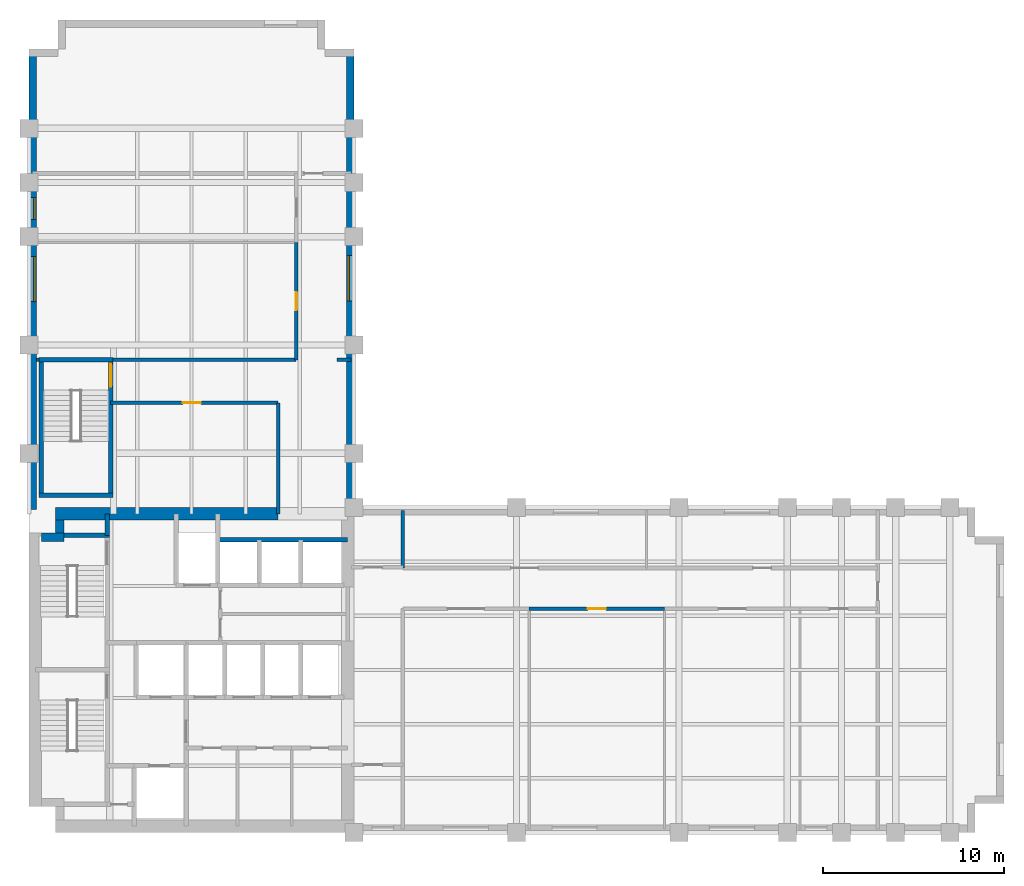
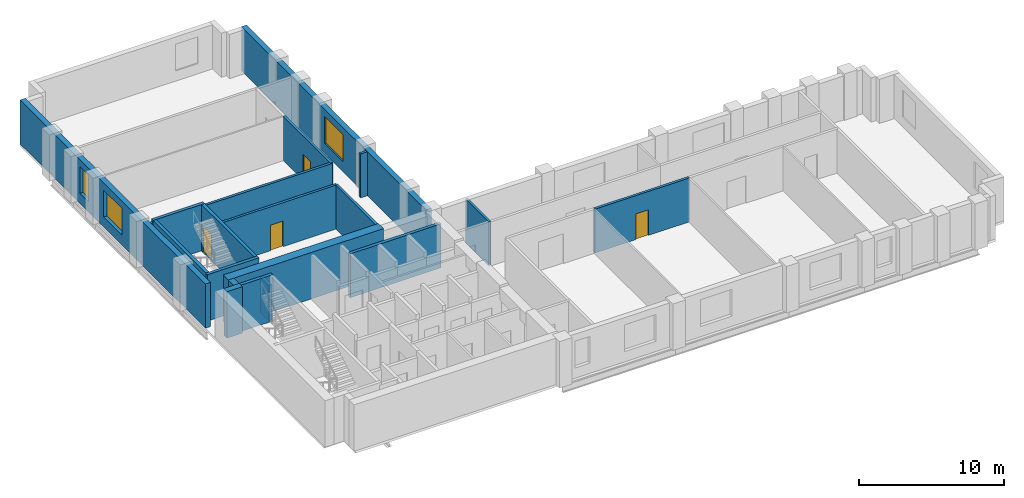
# One storey, part 4 of 7: 20 walls, 4 doors, 3 windows, 7 openings.
"""IFC4 building model written with IfcOpenShell, lengths in metres."""

from ifc_helpers import new_model, si_unit, direction, frame, frame_2d, origin, place, context, subcontext, project, spatial, rectangle, extrude, material, layer, layer_set, type_object, element, fill, save


model = new_model("IFC4")

# Units and contexts
model_context = context("Model", 3, precision=1e-05, world=origin(), true_north=direction((0.0, 1.0)))
body_context = subcontext(model_context, "Body", "Model", "MODEL_VIEW")
ifc_project = project(units=[si_unit("LENGTHUNIT", "METRE"), si_unit("AREAUNIT", "SQUARE_METRE"), si_unit("VOLUMEUNIT", "CUBIC_METRE"), si_unit("PLANEANGLEUNIT", "RADIAN"), si_unit("MASSUNIT", "GRAM", prefix="KILO")], contexts=[model_context])

# Site, building, storey
site_placement = place(None, origin())
site = spatial("IfcSite", under=ifc_project, at=site_placement, CompositionType="ELEMENT")
building_placement = place(site_placement, origin())
building = spatial("IfcBuilding", under=site, at=building_placement, Name="Mawjdan Bourse Tower", CompositionType="ELEMENT")
storey_placement = place(building_placement, frame((0.0, 0.0, 140.10009765625)))
storey = spatial("IfcBuildingStorey", under=building, at=storey_placement, Name="L33", CompositionType="ELEMENT", Elevation=140.10009765625)

# Wall, opening, window
ifc_material_1 = material(Name="Brick Masonry Buff", Category="masonry")
ifc_layer_1 = layer(ifc_material_1, 0.419921875)
ifc_layer_set_1 = layer_set([ifc_layer_1], Name="Brick Masonry Buff")
wall_type_1 = type_object("IfcWallType", Name="WL-BRK-BUFF-420", PredefinedType="STANDARD", material=ifc_layer_set_1)
wall_1_placement = place(storey_placement, frame((23.7900390625, 21.0, 0.0), z_axis=(0.0, 0.0, 1.0), x_axis=(0.0, 1.0, 0.0)))
wall_1 = element("IfcWall", 1, at=wall_1_placement, inside=storey, type_object=wall_type_1, Name="L33 Exterior Brick Wall 8", PredefinedType="STANDARD", context=body_context, shape_type="SweptSolid", body=[
    extrude(rectangle(XDim=25.39990234375, YDim=0.419921875, at=frame_2d((12.699951171875, 0.0))), origin(), (0.0, 0.0, 1.0), 3.699951171875),
])
opening_1_placement = place(wall_1_placement, frame((11.449951171875, 0.0, 0.85009765625)))
opening_1 = element("IfcOpeningElement", 2, at=opening_1_placement, cuts=wall_1, Name="Opening W-L33-05", PredefinedType="OPENING", context=body_context, shape_type="SweptSolid", body=[
    extrude(rectangle(XDim=2.5, YDim=2.25, at=frame_2d((1.25, 1.125))), frame((0.0, 0.219970703125, 0.0), z_axis=(0.0, -1.0, 0.0), x_axis=(1.0, 0.0, 0.0)), (0.0, 0.0, 1.0), 0.43994140625),
])
ifc_material_2 = material(Name="Solar-Control Clear Double Glazing", Category="glass")
window_type_1 = type_object("IfcWindowType", Name="WN-Z2-2500", PartitioningType="SINGLE_PANEL", PredefinedType="WINDOW", material=ifc_material_2)
window_1_placement = place(opening_1_placement, origin())
window_1 = element("IfcWindow", 3, at=window_1_placement, inside=storey, type_object=window_type_1, Name="L33 Deep-Set Masonry Window W-L33-05", OverallHeight=2.25, OverallWidth=2.5, PartitioningType="SINGLE_PANEL", PredefinedType="WINDOW", context=body_context, shape_type="SweptSolid", body=[
    extrude(rectangle(XDim=2.5, YDim=2.25, at=frame_2d((1.25, 1.125))), frame((0.0, 0.110107421875, 0.0), z_axis=(0.0, -1.0, 0.0), x_axis=(1.0, 0.0, 0.0)), (0.0, 0.0, 1.0), 0.06005859375),
])
fill(opening_1, window_1)

# Wall, openings, windows
wall_2_placement = place(storey_placement, frame((6.2099609375, 46.39990234375, 0.0), z_axis=(0.0, 0.0, 1.0), x_axis=(0.0, -1.0, 0.0)))
wall_2 = element("IfcWall", 4, at=wall_2_placement, inside=storey, type_object=wall_type_1, Name="L33 Exterior Brick Wall 14", PredefinedType="STANDARD", context=body_context, shape_type="SweptSolid", body=[
    extrude(rectangle(XDim=25.5, YDim=0.419921875, at=frame_2d((12.75, 0.0))), origin(), (0.0, 0.0, 1.0), 3.699951171875),
])
opening_2_placement = place(wall_2_placement, frame((11.5, 0.0, 0.85009765625)))
opening_2 = element("IfcOpeningElement", 5, at=opening_2_placement, cuts=wall_2, Name="Opening W-L33-07", PredefinedType="OPENING", context=body_context, shape_type="SweptSolid", body=[
    extrude(rectangle(XDim=2.5, YDim=2.25, at=frame_2d((1.25, 1.125))), frame((0.0, 0.219970703125, 0.0), z_axis=(0.0, -1.0, 0.0), x_axis=(1.0, 0.0, 0.0)), (0.0, 0.0, 1.0), 0.43994140625),
])
opening_3_placement = place(wall_2_placement, frame((8.236083984375, 0.0, 0.85009765625)))
opening_3 = element("IfcOpeningElement", 6, at=opening_3_placement, cuts=wall_2, Name="Opening W-L33-13", PredefinedType="OPENING", context=body_context, shape_type="SweptSolid", body=[
    extrude(rectangle(XDim=1.199951171875, YDim=2.25, at=frame_2d((0.60009765625, 1.125))), frame((0.0, 0.219970703125, 0.0), z_axis=(0.0, -1.0, 0.0), x_axis=(1.0, 0.0, 0.0)), (0.0, 0.0, 1.0), 0.43994140625),
])
window_type_2 = type_object("IfcWindowType", Name="WN-Z2-1200", PartitioningType="SINGLE_PANEL", PredefinedType="WINDOW", material=ifc_material_2)
window_2_placement = place(opening_3_placement, origin())
window_2 = element("IfcWindow", 7, at=window_2_placement, inside=storey, type_object=window_type_2, Name="L33 Deep-Set Masonry Window W-L33-13", OverallHeight=2.25, OverallWidth=1.199951171875, PartitioningType="SINGLE_PANEL", PredefinedType="WINDOW", context=body_context, shape_type="SweptSolid", body=[
    extrude(rectangle(XDim=1.199951171875, YDim=2.25, at=frame_2d((0.60009765625, 1.125))), frame((0.0, 0.110107421875, 0.0), z_axis=(0.0, -1.0, 0.0), x_axis=(1.0, 0.0, 0.0)), (0.0, 0.0, 1.0), 0.06005859375),
])
fill(opening_3, window_2)
window_3_placement = place(opening_2_placement, origin())
window_3 = element("IfcWindow", 8, at=window_3_placement, inside=storey, type_object=window_type_1, Name="L33 Deep-Set Masonry Window W-L33-07", OverallHeight=2.25, OverallWidth=2.5, PartitioningType="SINGLE_PANEL", PredefinedType="WINDOW", context=body_context, shape_type="SweptSolid", body=[
    extrude(rectangle(XDim=2.5, YDim=2.25, at=frame_2d((1.25, 1.125))), frame((0.0, 0.110107421875, 0.0), z_axis=(0.0, -1.0, 0.0), x_axis=(1.0, 0.0, 0.0)), (0.0, 0.0, 1.0), 0.06005859375),
])
fill(opening_2, window_3)

# Wall
ifc_material_3 = material(Name="Gypsum Fireboard Assembly")
ifc_layer_2 = layer(ifc_material_3, 0.199951171875)
ifc_layer_set_2 = layer_set([ifc_layer_2], Name="Gypsum Fireboard Assembly")
wall_type_2 = type_object("IfcWallType", Name="WL-CMP-200", PredefinedType="PARTITIONING", material=ifc_layer_set_2)
wall_3_placement = place(storey_placement, frame((26.699951171875, 17.64990234375, 0.0), z_axis=(0.0, 0.0, 1.0), x_axis=(0.0, 1.0, 0.0)))
element("IfcWall", 9, at=wall_3_placement, inside=storey, type_object=wall_type_2, Name="L33 Vestibule North East Wall", PredefinedType="PARTITIONING", context=body_context, shape_type="SweptSolid", body=[
    extrude(rectangle(XDim=3.170166015625, YDim=0.199951171875, at=frame_2d((1.5849609375, 0.0))), origin(), (0.0, 0.0, 1.0), 3.68994140625),
])

# Wall, opening, door
wall_4_placement = place(storey_placement, frame((33.699951171875, 15.39990234375, 0.0), z_axis=(0.0, 0.0, 1.0), x_axis=(1.0, 0.0, 0.0)))
wall_4 = element("IfcWall", 10, at=wall_4_placement, inside=storey, type_object=wall_type_2, Name="L33 Executive Office Corridor Wall", PredefinedType="PARTITIONING", context=body_context, shape_type="SweptSolid", body=[
    extrude(rectangle(XDim=7.5, YDim=0.199951171875, at=frame_2d((3.75, 0.0))), origin(), (0.0, 0.0, 1.0), 3.68994140625),
])
opening_4_placement = place(wall_4_placement, frame((3.25, 0.0, 0.0)))
opening_4 = element("IfcOpeningElement", 11, at=opening_4_placement, cuts=wall_4, Name="Opening D-L33-23", PredefinedType="OPENING", context=body_context, shape_type="SweptSolid", body=[
    extrude(rectangle(XDim=1.0, YDim=2.14990234375, at=frame_2d((0.5, 1.074951171875))), frame((0.0, 0.10986328125, 0.0), z_axis=(0.0, -1.0, 0.0), x_axis=(1.0, 0.0, 0.0)), (0.0, 0.0, 1.0), 0.219970703125),
])
ifc_material_4 = material(Name="Hardwood Acoustic Leaf", Category="wood")
door_type_1 = type_object("IfcDoorType", Name="DR-OFC-1000", OperationType="NOTDEFINED", PredefinedType="DOOR", material=ifc_material_4)
door_1_placement = place(opening_4_placement, origin())
door_1 = element("IfcDoor", 12, at=door_1_placement, inside=storey, type_object=door_type_1, Name="L33 Executive Office Door D-L33-23", OperationType="SINGLE_SWING_RIGHT", OverallHeight=2.14990234375, OverallWidth=1.0, PredefinedType="DOOR", context=body_context, shape_type="SweptSolid", body=[
    extrude(rectangle(XDim=1.0, YDim=2.14990234375, at=frame_2d((0.5, 1.074951171875))), frame((0.0, 0.02490234375, 0.0), z_axis=(0.0, -1.0, 0.0), x_axis=(1.0, 0.0, 0.0)), (0.0, 0.0, 1.0), 0.050048828125),
])
fill(opening_4, door_1)

wall_5_placement = place(storey_placement, frame((10.52001953125, 26.800048828125, 0.0), z_axis=(0.0, 0.0, 1.0), x_axis=(1.0, 0.0, 0.0)))
wall_5 = element("IfcWall", 13, at=wall_5_placement, inside=storey, type_object=wall_type_2, Name="L33 North Throat North Wall", PredefinedType="PARTITIONING", context=body_context, shape_type="SweptSolid", body=[
    extrude(rectangle(XDim=9.280029296875, YDim=0.199951171875, at=frame_2d((4.64013671875, 0.0))), origin(), (0.0, 0.0, 1.0), 3.68994140625),
])
opening_5_placement = place(wall_5_placement, frame((4.0, 0.0, 0.0)))
opening_5 = element("IfcOpeningElement", 14, at=opening_5_placement, cuts=wall_5, Name="Opening D-L33-29", PredefinedType="OPENING", context=body_context, shape_type="SweptSolid", body=[
    extrude(rectangle(XDim=1.0, YDim=2.14990234375, at=frame_2d((0.5, 1.074951171875))), frame((0.0, 0.10986328125, 0.0), z_axis=(0.0, -1.0, 0.0), x_axis=(1.0, 0.0, 0.0)), (0.0, 0.0, 1.0), 0.219970703125),
])
door_2_placement = place(opening_5_placement, origin())
door_2 = element("IfcDoor", 15, at=door_2_placement, inside=storey, type_object=door_type_1, Name="L33 North Throat Suite Door D-L33-29", OperationType="SINGLE_SWING_RIGHT", OverallHeight=2.14990234375, OverallWidth=1.0, PredefinedType="DOOR", context=body_context, shape_type="SweptSolid", body=[
    extrude(rectangle(XDim=1.0, YDim=2.14990234375, at=frame_2d((0.5, 1.074951171875))), frame((0.0, 0.02490234375, 0.0), z_axis=(0.0, -1.0, 0.0), x_axis=(1.0, 0.0, 0.0)), (0.0, 0.0, 1.0), 0.050048828125),
])
fill(opening_5, door_2)

# Walls
wall_6_placement = place(storey_placement, frame((19.800048828125, 20.64990234375, 0.0), z_axis=(0.0, 0.0, 1.0), x_axis=(0.0, 1.0, 0.0)))
element("IfcWall", 16, at=wall_6_placement, inside=storey, type_object=wall_type_2, Name="L33 North Throat East Wall", PredefinedType="PARTITIONING", context=body_context, shape_type="SweptSolid", body=[
    extrude(rectangle(XDim=6.150146484375, YDim=0.199951171875, at=frame_2d((3.0751953125, 0.0))), origin(), (0.0, 0.0, 1.0), 3.68994140625),
])
wall_7_placement = place(storey_placement, frame((6.419921875, 29.179931640625, 0.0), z_axis=(0.0, 0.0, 1.0), x_axis=(1.0, 0.0, 0.0)))
element("IfcWall", 17, at=wall_7_placement, inside=storey, type_object=wall_type_2, Name="L33 North West Band ST3 West Return", PredefinedType="PARTITIONING", context=body_context, shape_type="SweptSolid", body=[
    extrude(rectangle(XDim=0.135009765625, YDim=0.199951171875, at=frame_2d((0.0673828125, 0.0))), origin(), (0.0, 0.0, 1.0), 3.68994140625),
])
wall_8_placement = place(storey_placement, frame((10.6298828125, 29.179931640625, 0.0), z_axis=(0.0, 0.0, 1.0), x_axis=(1.0, 0.0, 0.0)))
element("IfcWall", 18, at=wall_8_placement, inside=storey, type_object=wall_type_2, Name="L33 North West Band South Wall", PredefinedType="PARTITIONING", context=body_context, shape_type="SweptSolid", body=[
    extrude(rectangle(XDim=10.170166015625, YDim=0.199951171875, at=frame_2d((5.0849609375, 0.0))), origin(), (0.0, 0.0, 1.0), 3.68994140625),
])
wall_9_placement = place(storey_placement, frame((23.050048828125, 29.179931640625, 0.0), z_axis=(0.0, 0.0, 1.0), x_axis=(1.0, 0.0, 0.0)))
element("IfcWall", 19, at=wall_9_placement, inside=storey, type_object=wall_type_2, Name="L33 North East Band South Wall", PredefinedType="PARTITIONING", context=body_context, shape_type="SweptSolid", body=[
    extrude(rectangle(XDim=0.77001953125, YDim=0.199951171875, at=frame_2d((0.385009765625, 0.0))), origin(), (0.0, 0.0, 1.0), 3.68994140625),
])

# Wall, opening, door
wall_10_placement = place(storey_placement, frame((20.800048828125, 29.179931640625, 0.0), z_axis=(0.0, 0.0, 1.0), x_axis=(0.0, 1.0, 0.0)))
wall_10 = element("IfcWall", 20, at=wall_10_placement, inside=storey, type_object=wall_type_2, Name="L33 Executive Office Corridor Wall", PredefinedType="PARTITIONING", context=body_context, shape_type="SweptSolid", body=[
    extrude(rectangle(XDim=6.5, YDim=0.199951171875, at=frame_2d((3.25, 0.0))), origin(), (0.0, 0.0, 1.0), 3.68994140625),
])
opening_6_placement = place(wall_10_placement, frame((2.75, 0.0, 0.0)))
opening_6 = element("IfcOpeningElement", 21, at=opening_6_placement, cuts=wall_10, Name="Opening D-L33-30", PredefinedType="OPENING", context=body_context, shape_type="SweptSolid", body=[
    extrude(rectangle(XDim=1.0, YDim=2.14990234375, at=frame_2d((0.5, 1.074951171875))), frame((0.0, 0.10986328125, 0.0), z_axis=(0.0, -1.0, 0.0), x_axis=(1.0, 0.0, 0.0)), (0.0, 0.0, 1.0), 0.219970703125),
])
door_3_placement = place(opening_6_placement, origin())
door_3 = element("IfcDoor", 22, at=door_3_placement, inside=storey, type_object=door_type_1, Name="L33 Executive Office Door D-L33-30", OperationType="SINGLE_SWING_LEFT", OverallHeight=2.14990234375, OverallWidth=1.0, PredefinedType="DOOR", context=body_context, shape_type="SweptSolid", body=[
    extrude(rectangle(XDim=1.0, YDim=2.14990234375, at=frame_2d((0.5, 1.074951171875))), frame((0.0, 0.02490234375, 0.0), z_axis=(0.0, -1.0, 0.0), x_axis=(1.0, 0.0, 0.0)), (0.0, 0.0, 1.0), 0.050048828125),
])
fill(opening_6, door_3)

# Walls
ifc_material_5 = material(Name="Concrete C60/75", Category="concrete")
ifc_layer_3 = layer(ifc_material_5, 0.449951171875)
ifc_layer_set_3 = layer_set([ifc_layer_3], Name="Concrete C60/75")
wall_type_3 = type_object("IfcWallType", Name="WL-CORE-450", PredefinedType="SHEAR", material=ifc_layer_set_3)
wall_11_placement = place(storey_placement, frame((6.699951171875, 19.35009765625, 0.0), z_axis=(0.0, 0.0, 1.0), x_axis=(1.0, 0.0, 0.0)))
element("IfcWall", 23, at=wall_11_placement, inside=storey, type_object=wall_type_3, Name="L33 Rear Core Shear Wall NW-X", PredefinedType="SHEAR", context=body_context, shape_type="SweptSolid", body=[
    extrude(rectangle(XDim=1.22509765625, YDim=0.449951171875, at=frame_2d((0.612548828125, 0.0))), origin(), (0.0, 0.0, 1.0), 3.89990234375),
])
wall_12_placement = place(storey_placement, frame((7.699951171875, 19.574951171875, 0.0), z_axis=(0.0, 0.0, 1.0), x_axis=(0.0, 1.0, 0.0)))
element("IfcWall", 24, at=wall_12_placement, inside=storey, type_object=wall_type_3, Name="L33 Rear Core Shear Wall NW-Y", PredefinedType="SHEAR", context=body_context, shape_type="SweptSolid", body=[
    extrude(rectangle(XDim=0.72509765625, YDim=0.449951171875, at=frame_2d((0.362548828125, 0.0))), origin(), (0.0, 0.0, 1.0), 3.89990234375),
])
ifc_material_6 = material(Name="Concrete C70/85", Category="concrete")
ifc_layer_4 = layer(ifc_material_6, 0.699951171875)
ifc_layer_set_4 = layer_set([ifc_layer_4], Name="Concrete C70/85")
wall_type_4 = type_object("IfcWallType", Name="WL-CORE-700", PredefinedType="SHEAR", material=ifc_layer_set_4)
wall_13_placement = place(storey_placement, frame((7.47509765625, 20.64990234375, 0.0), z_axis=(0.0, 0.0, 1.0), x_axis=(1.0, 0.0, 0.0)))
element("IfcWall", 25, at=wall_13_placement, inside=storey, type_object=wall_type_4, Name="L33 Rear Core Shear Wall N", PredefinedType="SHEAR", context=body_context, shape_type="SweptSolid", body=[
    extrude(rectangle(XDim=12.324951171875, YDim=0.699951171875, at=frame_2d((6.16259765625, 0.0))), origin(), (0.0, 0.0, 1.0), 3.89990234375),
])
ifc_material_7 = material(Name="Concrete C50/60", Category="concrete")
ifc_layer_5 = layer(ifc_material_7, 0.25)
ifc_layer_set_5 = layer_set([ifc_layer_5], Name="Concrete C50/60")
wall_type_5 = type_object("IfcWallType", Name="WL-SHFT-250", PredefinedType="PARTITIONING", material=ifc_layer_set_5)
wall_14_placement = place(storey_placement, frame((10.330078125, 19.449951171875, 0.0), z_axis=(0.0, 0.0, 1.0), x_axis=(0.0, 1.0, 0.0)))
element("IfcWall", 26, at=wall_14_placement, inside=storey, type_object=wall_type_5, Name="L33 NW Riser East Wall", PredefinedType="PARTITIONING", context=body_context, shape_type="SweptSolid", body=[
    extrude(rectangle(XDim=1.199951171875, YDim=0.25, at=frame_2d((0.60009765625, 0.0))), origin(), (0.0, 0.0, 1.0), 2.993896484375),
])
wall_15_placement = place(storey_placement, frame((16.449951171875, 19.199951171875, 0.0), z_axis=(0.0, 0.0, 1.0), x_axis=(1.0, 0.0, 0.0)))
element("IfcWall", 27, at=wall_15_placement, inside=storey, type_object=wall_type_5, Name="L33 PH Bank North Shaft Back Wall", PredefinedType="PARTITIONING", context=body_context, shape_type="SweptSolid", body=[
    extrude(rectangle(XDim=7.199951171875, YDim=0.25, at=frame_2d((3.60009765625, 0.0))), origin(), (0.0, 0.0, 1.0), 3.68994140625),
])
ifc_layer_6 = layer(ifc_material_7, 0.25)
ifc_layer_set_6 = layer_set([ifc_layer_6], Name="Concrete C50/60")
wall_type_6 = type_object("IfcWallType", Name="WL-STRW-250", PredefinedType="SHEAR", material=ifc_layer_set_6)
wall_16_placement = place(storey_placement, frame((7.699951171875, 19.449951171875, 0.0), z_axis=(0.0, 0.0, 1.0), x_axis=(1.0, 0.0, 0.0)))
element("IfcWall", 28, at=wall_16_placement, inside=storey, type_object=wall_type_6, Name="L33 Stairwell ST2 North Shaft Wall", PredefinedType="SHEAR", context=body_context, shape_type="SweptSolid", body=[
    extrude(rectangle(XDim=2.755126953125, YDim=0.25, at=frame_2d((1.37744140625, 0.0))), origin(), (0.0, 0.0, 1.0), 3.89990234375),
])
for number, where, z_axis, x_axis, name in (
    (29, (6.554931640625, 21.679931640625, 0.0), (0.0, 0.0, 1.0), (1.0, 0.0, 0.0), "L33 ST3 South Shaft Wall"),
    (30, (6.554931640625, 29.179931640625, 0.0), (0.0, 0.0, 1.0), (1.0, 0.0, 0.0), "L33 ST3 North Shaft Wall"),
):
    element("IfcWall", number, at=place(storey_placement, frame(where, z_axis=z_axis, x_axis=x_axis)), inside=storey, type_object=wall_type_6, Name=name, PredefinedType="SHEAR", context=body_context, shape_type="SweptSolid", body=[
        extrude(rectangle(XDim=4.090087890625, YDim=0.25, at=frame_2d((2.044921875, 0.0))), origin(), (0.0, 0.0, 1.0), 3.89990234375),
    ])
wall_17_placement = place(storey_placement, frame((6.679931640625, 21.679931640625, 0.0), z_axis=(0.0, 0.0, 1.0), x_axis=(0.0, 1.0, 0.0)))
element("IfcWall", 31, at=wall_17_placement, inside=storey, type_object=wall_type_6, Name="L33 ST3 West Shaft Wall", PredefinedType="SHEAR", context=body_context, shape_type="SweptSolid", body=[
    extrude(rectangle(XDim=7.5, YDim=0.25, at=frame_2d((3.75, 0.0))), origin(), (0.0, 0.0, 1.0), 3.89990234375),
])

# Wall, opening, door
wall_18_placement = place(storey_placement, frame((10.52001953125, 21.679931640625, 0.0), z_axis=(0.0, 0.0, 1.0), x_axis=(0.0, 1.0, 0.0)))
wall_18 = element("IfcWall", 32, at=wall_18_placement, inside=storey, type_object=wall_type_6, Name="L33 ST3 East Shaft Wall", PredefinedType="SHEAR", context=body_context, shape_type="SweptSolid", body=[
    extrude(rectangle(XDim=7.5, YDim=0.25, at=frame_2d((3.75, 0.0))), origin(), (0.0, 0.0, 1.0), 3.89990234375),
])
opening_7_placement = place(wall_18_placement, frame((6.02001953125, 0.0, 0.0)))
opening_7 = element("IfcOpeningElement", 33, at=opening_7_placement, cuts=wall_18, Name="Opening SD-L33-19", PredefinedType="OPENING", context=body_context, shape_type="SweptSolid", body=[
    extrude(rectangle(XDim=1.25, YDim=2.199951171875, at=frame_2d((0.625, 1.10009765625))), frame((0.0, 0.135009765625, 0.0), z_axis=(0.0, -1.0, 0.0), x_axis=(1.0, 0.0, 0.0)), (0.0, 0.0, 1.0), 0.27001953125),
])
ifc_material_8 = material(Name="Fire-Rated Steel Leaf", Category="steel")
door_type_2 = type_object("IfcDoorType", Name="FD-ST-1250", OperationType="NOTDEFINED", PredefinedType="DOOR", material=ifc_material_8)
door_4_placement = place(opening_7_placement, origin())
door_4 = element("IfcDoor", 34, at=door_4_placement, inside=storey, type_object=door_type_2, Name="L33 Stair ST3 Fire Door SD-L33-19", OperationType="SINGLE_SWING_LEFT", OverallHeight=2.199951171875, OverallWidth=1.25, PredefinedType="DOOR", context=body_context, shape_type="SweptSolid", body=[
    extrude(rectangle(XDim=1.25, YDim=2.199951171875, at=frame_2d((0.625, 1.10009765625))), frame((0.0, 0.02490234375, 0.0), z_axis=(0.0, -1.0, 0.0), x_axis=(1.0, 0.0, 0.0)), (0.0, 0.0, 1.0), 0.050048828125),
])
fill(opening_7, door_4)

save(model, "model.ifc")
